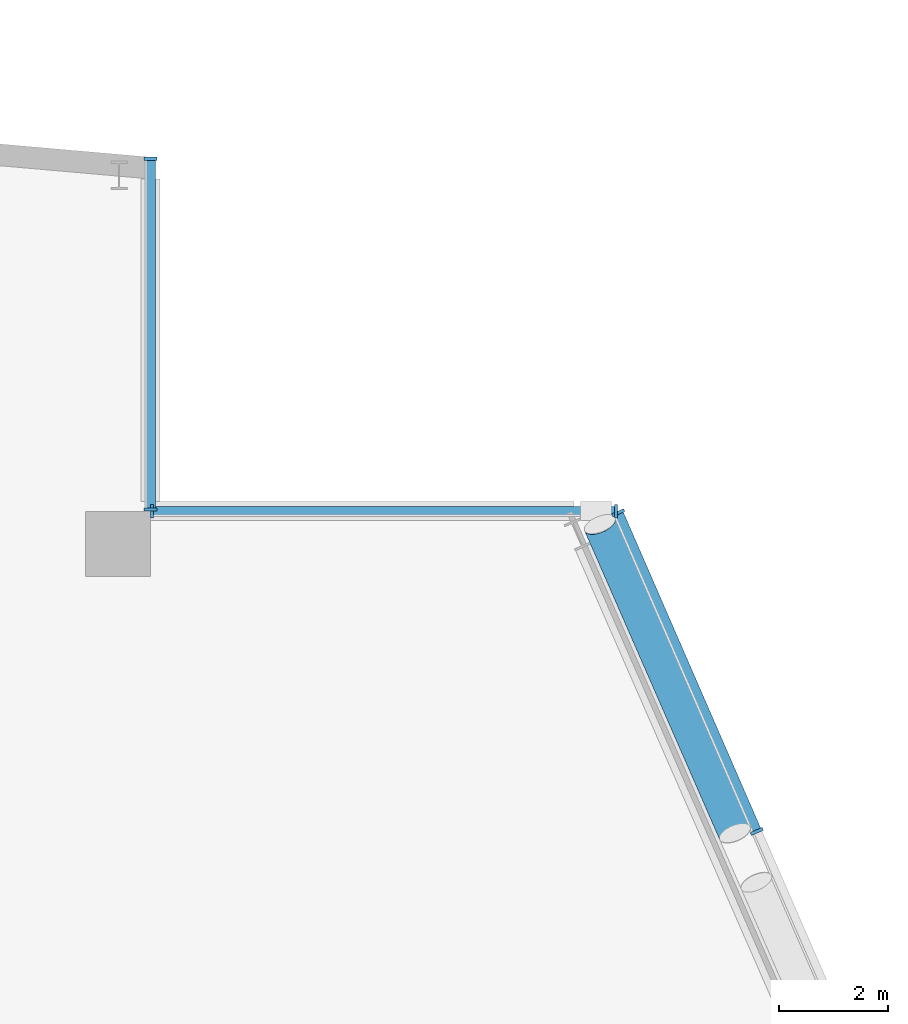
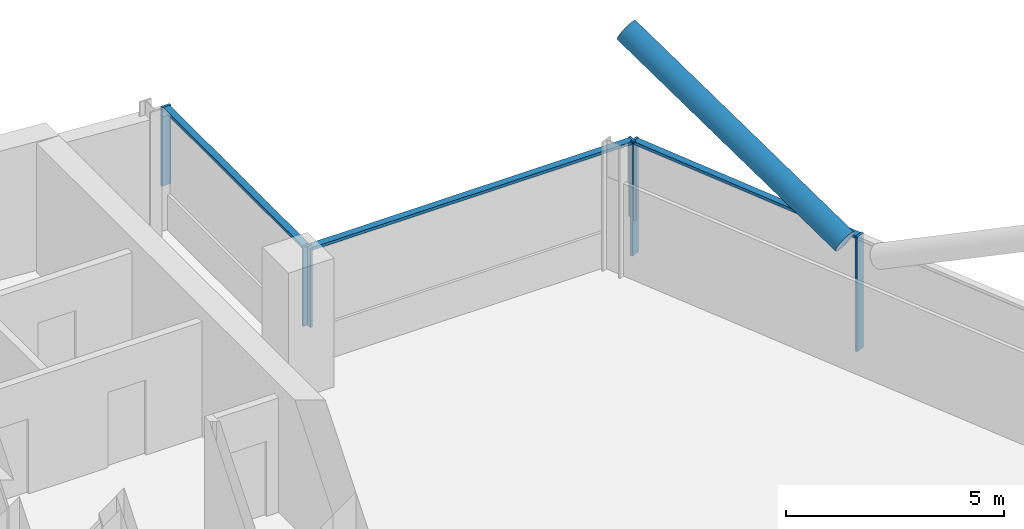
# One storey, part 11 of 27: 10 members, 3 elements without a shape of their own.
"""IFC4 building model written with IfcOpenShell, lengths in metres."""

from ifc_helpers import new_model, si_unit, direction, frame, origin, origin_2d, place, context, subcontext, project, spatial, rectangle, hollow_circle, extrude, material, material_profile, profile_set, type_object, element, aggregate, save


model = new_model("IFC4")

# Units and contexts
model_context = context("Model", 3, precision=1e-05, world=origin(), true_north=direction((0.0, 1.0)))
body_context = subcontext(model_context, "Body", "Model", "MODEL_VIEW")
ifc_project = project(units=[si_unit("LENGTHUNIT", "METRE"), si_unit("AREAUNIT", "SQUARE_METRE"), si_unit("VOLUMEUNIT", "CUBIC_METRE"), si_unit("PLANEANGLEUNIT", "RADIAN"), si_unit("MASSUNIT", "GRAM", prefix="KILO")], contexts=[model_context])

# Site, building, storey
site_placement = place(None, origin())
site = spatial("IfcSite", under=ifc_project, at=site_placement, CompositionType="ELEMENT")
building_placement = place(site_placement, origin())
building = spatial("IfcBuilding", under=site, at=building_placement, Name="Wharfspan Tower", CompositionType="ELEMENT")
storey_placement = place(building_placement, frame((0.0, 0.0, 243.100098)))
storey = spatial("IfcBuildingStorey", under=building, at=storey_placement, Name="L61", CompositionType="ELEMENT", Elevation=243.100098)

# Curtain wall, members
ifc_material_1 = material(Name="Aluminium 6063-T6", Category="aluminium")
curtain_wall_type = type_object("IfcCurtainWallType", Name="CURTAIN WALL PROW AND END", PredefinedType="NOTDEFINED", material=ifc_material_1)
curtain_wall_1_placement = place(storey_placement, origin())
curtain_wall_1 = element("IfcCurtainWall", 1, at=curtain_wall_1_placement, inside=storey, type_object=curtain_wall_type, Name="Curtain wall E", PredefinedType="NOTDEFINED")
ifc_material_profile_1 = material_profile(ifc_material_1, rectangle(XDim=0.23999, YDim=0.060059, at=origin_2d()))
ifc_profile_set_1 = profile_set([ifc_material_profile_1], Name="Aluminium 6063-T6")
member_type_1 = type_object("IfcMemberType", Name="MULLION PROW AND END 60x240", PredefinedType="MULLION", material=ifc_profile_set_1)
member_1_placement = place(storey_placement, frame((72.173828, 36.100098, 0.0), z_axis=(0.0, 0.0, 1.0), x_axis=(-0.917072, -0.398727, 0.0)))
member_1 = element("IfcMember", 2, at=member_1_placement, type_object=member_type_1, Name="Curtain wall E mullion 6", PredefinedType="MULLION", context=body_context, shape_type="SweptSolid", body=[
    extrude(rectangle(XDim=0.23999, YDim=0.060059, at=origin_2d()), origin(), (0.0, 0.0, 1.0), 3.199951),
])
member_2_placement = place(storey_placement, frame((69.620605, 41.972412, 0.0), z_axis=(0.0, 0.0, 1.0), x_axis=(-0.917072, -0.398727, 0.0)))
member_2 = element("IfcMember", 3, at=member_2_placement, type_object=member_type_1, Name="Curtain wall E mullion 7", PredefinedType="MULLION", context=body_context, shape_type="SweptSolid", body=[
    extrude(rectangle(XDim=0.23999, YDim=0.060059, at=origin_2d()), origin(), (0.0, 0.0, 1.0), 3.199951),
])

curtain_wall_2_placement = place(storey_placement, origin())
curtain_wall_2 = element("IfcCurtainWall", 4, at=curtain_wall_2_placement, inside=storey, type_object=curtain_wall_type, Name="Curtain wall NRE-H", PredefinedType="NOTDEFINED")
member_3_placement = place(storey_placement, frame((69.578613, 42.0, 1.0), z_axis=(0.0, 0.0, 1.0), x_axis=(0.0, -1.0, 0.0)))
member_3 = element("IfcMember", 5, at=member_3_placement, type_object=member_type_1, Name="Curtain wall NRE-H mullion 1", PredefinedType="MULLION", context=body_context, shape_type="SweptSolid", body=[
    extrude(rectangle(XDim=0.23999, YDim=0.060059, at=origin_2d()), origin(), (0.0, 0.0, 1.0), 2.199951),
])
member_4_placement = place(storey_placement, frame((61.030029, 42.0, 1.0), z_axis=(0.0, 0.0, 1.0), x_axis=(0.0, -1.0, 0.0)))
member_4 = element("IfcMember", 6, at=member_4_placement, type_object=member_type_1, Name="Curtain wall NRE-H mullion 2", PredefinedType="MULLION", context=body_context, shape_type="SweptSolid", body=[
    extrude(rectangle(XDim=0.23999, YDim=0.060059, at=origin_2d()), origin(), (0.0, 0.0, 1.0), 2.199951),
])

curtain_wall_3_placement = place(storey_placement, origin())
curtain_wall_3 = element("IfcCurtainWall", 7, at=curtain_wall_3_placement, inside=storey, type_object=curtain_wall_type, Name="Curtain wall NRE-V", PredefinedType="NOTDEFINED")
member_5_placement = place(storey_placement, frame((61.0, 42.030029, 1.0), z_axis=(0.0, 0.0, 1.0), x_axis=(-1.0, 0.0, 0.0)))
member_5 = element("IfcMember", 8, at=member_5_placement, type_object=member_type_1, Name="Curtain wall NRE-V mullion 1", PredefinedType="MULLION", context=body_context, shape_type="SweptSolid", body=[
    extrude(rectangle(XDim=0.23999, YDim=0.060059, at=origin_2d()), origin(), (0.0, 0.0, 1.0), 2.199951),
])
member_6_placement = place(storey_placement, frame((61.0, 48.494873, 1.0), z_axis=(0.0, 0.0, 1.0), x_axis=(-1.0, 0.0, 0.0)))
member_6 = element("IfcMember", 9, at=member_6_placement, type_object=member_type_1, Name="Curtain wall NRE-V mullion 2", PredefinedType="MULLION", context=body_context, shape_type="SweptSolid", body=[
    extrude(rectangle(XDim=0.23999, YDim=0.060059, at=origin_2d()), origin(), (0.0, 0.0, 1.0), 2.199951),
])

# Member
ifc_material_2 = material(Name="Steel S460NH", Category="steel")
ifc_material_profile_2 = material_profile(ifc_material_2, hollow_circle(Radius=0.304932, WallThickness=0.024902, at=origin_2d()))
ifc_profile_set_2 = profile_set([ifc_material_profile_2], Name="Steel S460NH")
member_type_2 = type_object("IfcMemberType", Name="Mega brace CHS 610x25", PredefinedType="BRACE", material=ifc_profile_set_2)
member_7_placement = place(storey_placement, frame((71.769775, 36.06958, 3.166504), z_axis=(-0.352903, 0.807102, 0.473334), x_axis=(-0.916243, -0.400624, -1e-06)))
element("IfcMember", 10, at=member_7_placement, inside=storey, type_object=member_type_2, Name="Mega brace E6 L61 part 2", PredefinedType="BRACE", context=body_context, shape_type="SweptSolid", body=[
    extrude(hollow_circle(Radius=0.304932, WallThickness=0.024902, at=origin_2d()), origin(), (0.0, 0.0, 1.0), 7.04248),
])

ifc_material_profile_3 = material_profile(ifc_material_1, rectangle(XDim=0.179932, YDim=0.080078, at=origin_2d()))
ifc_profile_set_3 = profile_set([ifc_material_profile_3], Name="Aluminium 6063-T6")
member_type_3 = type_object("IfcMemberType", Name="TRANSOM PROW AND END 80x180", PredefinedType="USERDEFINED", material=ifc_profile_set_3)
member_8_placement = place(storey_placement, frame((72.161865, 36.127441, 3.159912), z_axis=(-0.398712, 0.917076, 0.0), x_axis=(-0.917076, -0.398712, 0.0)))
member_8 = element("IfcMember", 11, at=member_8_placement, type_object=member_type_3, Name="Curtain wall E transom 6", ObjectType="TRANSOM", PredefinedType="USERDEFINED", context=body_context, shape_type="SweptSolid", body=[
    extrude(rectangle(XDim=0.179932, YDim=0.080078, at=origin_2d()), origin(), (0.0, 0.0, 1.0), 6.34375),
])

aggregate(curtain_wall_1, [member_1, member_2, member_8])

member_9_placement = place(storey_placement, frame((69.548584, 42.0, 3.159912), z_axis=(-1.0, 0.0, 0.0), x_axis=(0.0, -1.0, 0.0)))
member_9 = element("IfcMember", 12, at=member_9_placement, type_object=member_type_3, Name="Curtain wall NRE-H transom 1", ObjectType="TRANSOM", PredefinedType="USERDEFINED", context=body_context, shape_type="SweptSolid", body=[
    extrude(rectangle(XDim=0.179932, YDim=0.080078, at=origin_2d()), origin(), (0.0, 0.0, 1.0), 8.488525),
])

aggregate(curtain_wall_2, [member_3, member_4, member_9])

member_10_placement = place(storey_placement, frame((61.0, 42.060059, 3.159912), z_axis=(0.0, 1.0, 0.0), x_axis=(-1.0, 0.0, 0.0)))
member_10 = element("IfcMember", 13, at=member_10_placement, type_object=member_type_3, Name="Curtain wall NRE-V transom 1", ObjectType="TRANSOM", PredefinedType="USERDEFINED", context=body_context, shape_type="SweptSolid", body=[
    extrude(rectangle(XDim=0.179932, YDim=0.080078, at=origin_2d()), origin(), (0.0, 0.0, 1.0), 6.404785),
])

aggregate(curtain_wall_3, [member_5, member_6, member_10])

save(model, "model.ifc")
